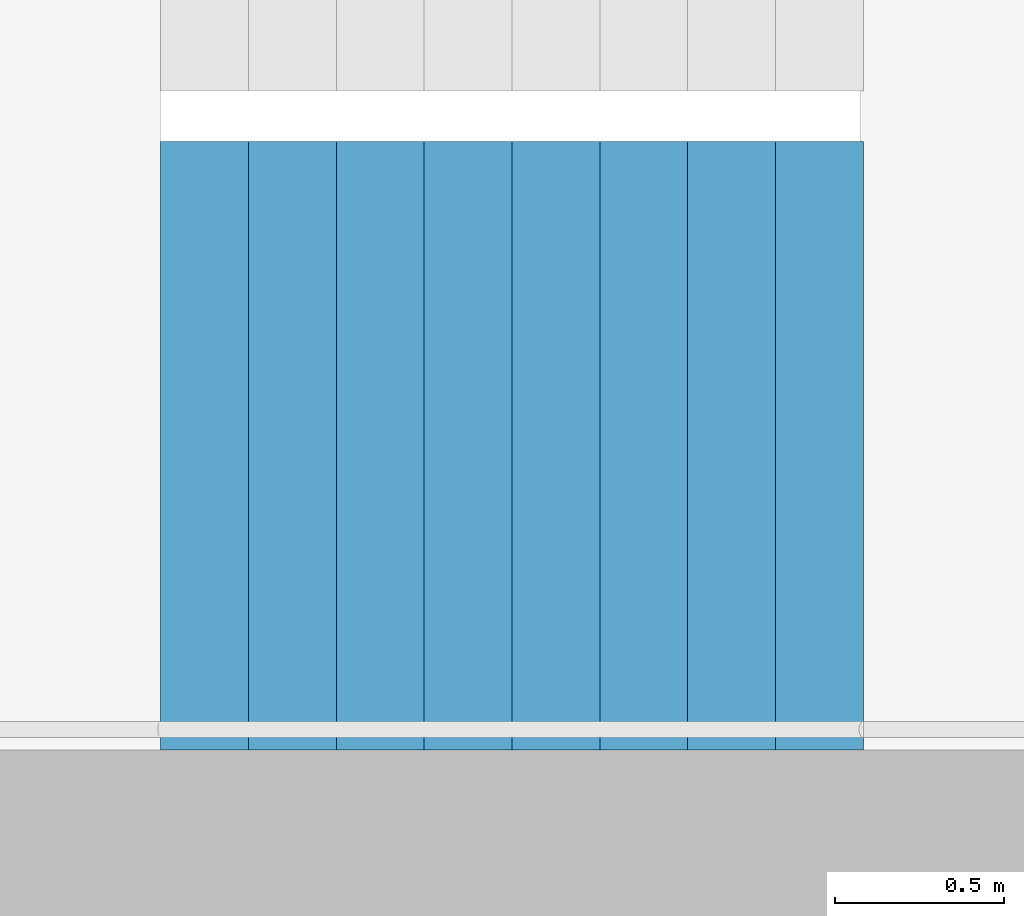
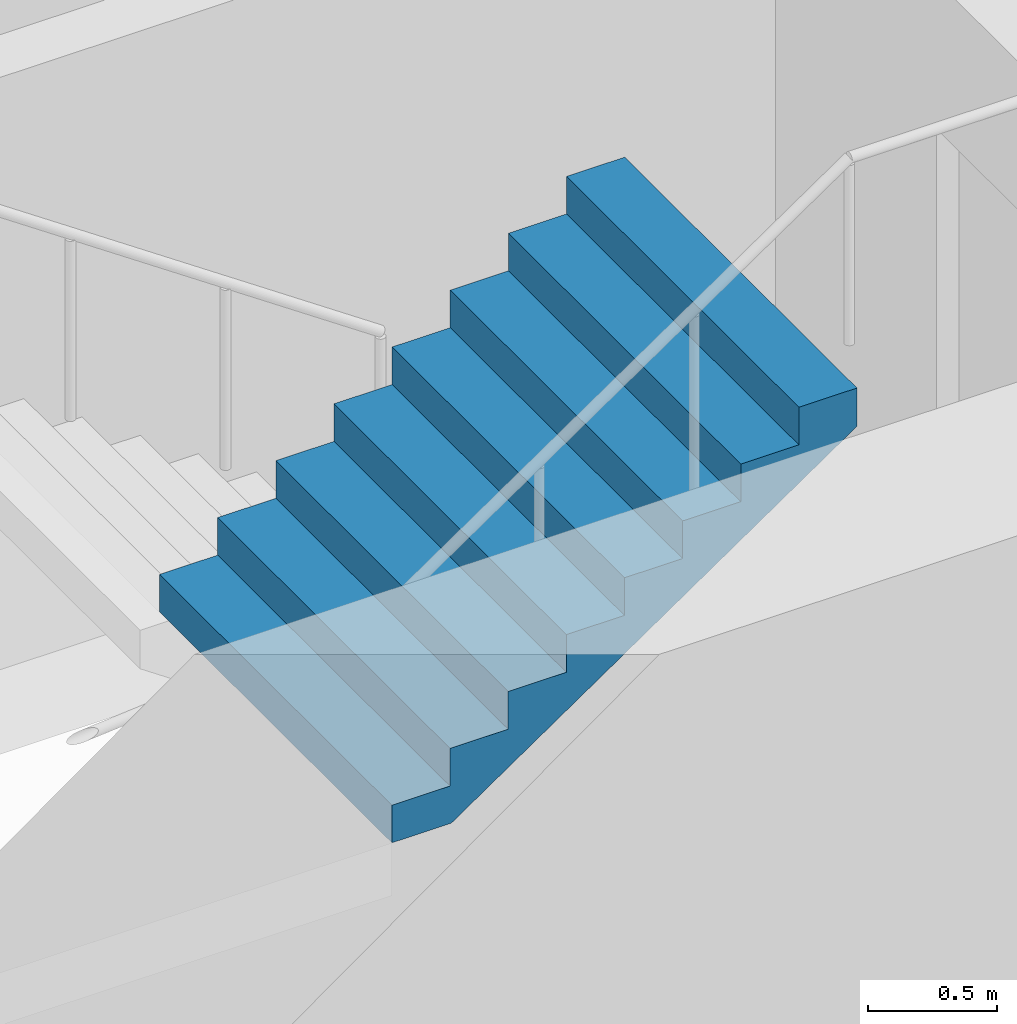
# One storey, part 21 of 29: 1 stair flight, 1 element without a shape of its own.
"""IFC4 building model written with IfcOpenShell, lengths in metres."""

from ifc_helpers import new_model, si_unit, direction, frame, origin, place, context, subcontext, project, spatial, triangles, material, type_object, element, aggregate, save


model = new_model("IFC4")

# Units and contexts
model_context = context("Model", 3, precision=1e-05, world=origin(), true_north=direction((0.0, 1.0)))
body_context = subcontext(model_context, "Body", "Model", "MODEL_VIEW")
ifc_project = project(units=[si_unit("LENGTHUNIT", "METRE"), si_unit("AREAUNIT", "SQUARE_METRE"), si_unit("VOLUMEUNIT", "CUBIC_METRE"), si_unit("PLANEANGLEUNIT", "RADIAN"), si_unit("MASSUNIT", "GRAM", prefix="KILO")], contexts=[model_context])

# Site, building, storey
site_placement = place(None, origin())
site = spatial("IfcSite", under=ifc_project, at=site_placement, CompositionType="ELEMENT")
building_placement = place(site_placement, origin())
building = spatial("IfcBuilding", under=site, at=building_placement, Name="Hakoniwa Tower and Hamabe Station Hall", CompositionType="ELEMENT")
storey_placement = place(building_placement, frame((0.0, 0.0, 104.199951171875)))
storey = spatial("IfcBuildingStorey", under=building, at=storey_placement, Name="L29", CompositionType="ELEMENT", Elevation=104.199951171875)

# Stair, stair flight
ifc_material_1 = material(Name="Concrete C40", Category="concrete")
stair_type = type_object("IfcStairType", Name="ESCAPE STAIR 1800", PredefinedType="HALF_TURN_STAIR", material=ifc_material_1)
stair_placement = place(storey_placement, origin())
stair = element("IfcStair", 1, at=stair_placement, inside=storey, type_object=stair_type, Name="Escape stair ST-2 L29", PredefinedType="HALF_TURN_STAIR")
ifc_material_2 = material(Name="Concrete C40", Category="concrete")
stair_flight_type = type_object("IfcStairFlightType", Name="STAIR FLIGHT 1800", PredefinedType="STRAIGHT", material=ifc_material_2)
stair_flight_placement = place(storey_placement, frame((-25.47998046875, -6.60009765625, 1.60009765625), z_axis=(0.0, 0.0, 1.0), x_axis=(1.0, 0.0, 0.0)))
stair_flight = element("IfcStairFlight", 2, at=stair_flight_placement, type_object=stair_flight_type, Name="ST-2 flight 2", NumberOfRisers=9, NumberOfTreads=8, PredefinedType="STRAIGHT", RiserHeight=0.177777778, TreadLength=0.26, context=body_context, shape_type="Tessellation", body=[
    triangles([(0.0, 0.89990234375, 0.0), (0.260009765625, 0.89990234375, 0.0), (0.265625, 0.89990234375, 0.0), (0.52001953125, 0.89990234375, 0.174072265625), (0.780029296875, 0.89990234375, 0.351806640625), (1.0400390625, 0.89990234375, 0.529541015625), (1.300048828125, 0.89990234375, 0.707275390625), (1.56005859375, 0.89990234375, 0.885009765625), (1.820068359375, 0.89990234375, 1.062744140625), (2.080078125, 0.89990234375, 1.24072265625), (2.080078125, 0.89990234375, 1.422119140625), (1.820068359375, 0.89990234375, 1.422119140625), (1.820068359375, 0.89990234375, 1.244384765625), (1.56005859375, 0.89990234375, 1.244384765625), (1.56005859375, 0.89990234375, 1.066650390625), (1.300048828125, 0.89990234375, 1.066650390625), (1.300048828125, 0.89990234375, 0.888916015625), (1.0400390625, 0.89990234375, 0.888916015625), (1.0400390625, 0.89990234375, 0.711181640625), (0.780029296875, 0.89990234375, 0.711181640625), (0.780029296875, 0.89990234375, 0.533447265625), (0.52001953125, 0.89990234375, 0.533447265625), (0.52001953125, 0.89990234375, 0.35546875), (0.265625, 0.89990234375, 0.35546875), (0.260009765625, 0.89990234375, 0.35546875), (0.260009765625, 0.89990234375, 0.177734375), (0.0, 0.89990234375, 0.177734375), (0.0, 0.06005859375, 0.0), (0.260009765625, 0.06005859375, 0.0), (0.265625, 0.06005859375, 0.0), (0.52001953125, 0.06005859375, 0.174072265625), (0.780029296875, 0.06005859375, 0.351806640625), (1.0400390625, 0.06005859375, 0.529541015625), (1.300048828125, 0.06005859375, 0.707275390625), (1.56005859375, 0.06005859375, 0.885009765625), (1.820068359375, 0.06005859375, 1.062744140625), (2.080078125, 0.06005859375, 1.24072265625), (2.080078125, 0.06005859375, 1.422119140625), (1.820068359375, 0.06005859375, 1.422119140625), (1.820068359375, 0.06005859375, 1.244384765625), (1.56005859375, 0.06005859375, 1.244384765625), (1.56005859375, 0.06005859375, 1.066650390625), (1.300048828125, 0.06005859375, 1.066650390625), (1.300048828125, 0.06005859375, 0.888916015625), (1.0400390625, 0.06005859375, 0.888916015625), (1.0400390625, 0.06005859375, 0.711181640625), (0.780029296875, 0.06005859375, 0.711181640625), (0.780029296875, 0.06005859375, 0.533447265625), (0.52001953125, 0.06005859375, 0.533447265625), (0.52001953125, 0.06005859375, 0.35546875), (0.265625, 0.06005859375, 0.35546875), (0.260009765625, 0.06005859375, 0.35546875), (0.260009765625, 0.06005859375, 0.177734375), (0.0, 0.06005859375, 0.177734375), (0.0, 0.04296875, 0.0), (0.260009765625, 0.04296875, 0.0), (0.265625, 0.04296875, 0.0), (0.52001953125, 0.04296875, 0.174072265625), (0.780029296875, 0.04296875, 0.351806640625), (1.0400390625, 0.04296875, 0.529541015625), (1.300048828125, 0.04296875, 0.707275390625), (1.56005859375, 0.04296875, 0.885009765625), (1.820068359375, 0.04296875, 1.062744140625), (2.080078125, 0.04296875, 1.24072265625), (2.080078125, 0.04296875, 1.422119140625), (1.820068359375, 0.04296875, 1.422119140625), (1.820068359375, 0.04296875, 1.244384765625), (1.56005859375, 0.04296875, 1.244384765625), (1.56005859375, 0.04296875, 1.066650390625), (1.300048828125, 0.04296875, 1.066650390625), (1.300048828125, 0.04296875, 0.888916015625), (1.0400390625, 0.04296875, 0.888916015625), (1.0400390625, 0.04296875, 0.711181640625), (0.780029296875, 0.04296875, 0.711181640625), (0.780029296875, 0.04296875, 0.533447265625), (0.52001953125, 0.04296875, 0.533447265625), (0.52001953125, 0.04296875, 0.35546875), (0.265625, 0.04296875, 0.35546875), (0.260009765625, 0.04296875, 0.35546875), (0.260009765625, 0.04296875, 0.177734375), (0.0, 0.04296875, 0.177734375), (0.0, 0.025634765625, 0.0), (0.260009765625, 0.025634765625, 0.0), (0.265625, 0.025634765625, 0.0), (0.52001953125, 0.025634765625, 0.174072265625), (0.780029296875, 0.025634765625, 0.351806640625), (1.0400390625, 0.025634765625, 0.529541015625), (1.300048828125, 0.025634765625, 0.707275390625), (1.56005859375, 0.025634765625, 0.885009765625), (1.820068359375, 0.025634765625, 1.062744140625), (2.080078125, 0.025634765625, 1.24072265625), (2.080078125, 0.025634765625, 1.422119140625), (1.820068359375, 0.025634765625, 1.422119140625), (1.820068359375, 0.025634765625, 1.244384765625), (1.56005859375, 0.025634765625, 1.244384765625), (1.56005859375, 0.025634765625, 1.066650390625), (1.300048828125, 0.025634765625, 1.066650390625), (1.300048828125, 0.025634765625, 0.888916015625), (1.0400390625, 0.025634765625, 0.888916015625), (1.0400390625, 0.025634765625, 0.711181640625), (0.780029296875, 0.025634765625, 0.711181640625), (0.780029296875, 0.025634765625, 0.533447265625), (0.52001953125, 0.025634765625, 0.533447265625), (0.52001953125, 0.025634765625, 0.35546875), (0.265625, 0.025634765625, 0.35546875), (0.260009765625, 0.025634765625, 0.35546875), (0.260009765625, 0.025634765625, 0.177734375), (0.0, 0.025634765625, 0.177734375), (0.0, 0.008544921875, 0.0), (0.260009765625, 0.008544921875, 0.0), (0.265625, 0.008544921875, 0.0), (0.52001953125, 0.008544921875, 0.174072265625), (0.780029296875, 0.008544921875, 0.351806640625), (1.0400390625, 0.008544921875, 0.529541015625), (1.300048828125, 0.008544921875, 0.707275390625), (1.56005859375, 0.008544921875, 0.885009765625), (1.820068359375, 0.008544921875, 1.062744140625), (2.080078125, 0.008544921875, 1.24072265625), (2.080078125, 0.008544921875, 1.422119140625), (1.820068359375, 0.008544921875, 1.422119140625), (1.820068359375, 0.008544921875, 1.244384765625), (1.56005859375, 0.008544921875, 1.244384765625), (1.56005859375, 0.008544921875, 1.066650390625), (1.300048828125, 0.008544921875, 1.066650390625), (1.300048828125, 0.008544921875, 0.888916015625), (1.0400390625, 0.008544921875, 0.888916015625), (1.0400390625, 0.008544921875, 0.711181640625), (0.780029296875, 0.008544921875, 0.711181640625), (0.780029296875, 0.008544921875, 0.533447265625), (0.52001953125, 0.008544921875, 0.533447265625), (0.52001953125, 0.008544921875, 0.35546875), (0.265625, 0.008544921875, 0.35546875), (0.260009765625, 0.008544921875, 0.35546875), (0.260009765625, 0.008544921875, 0.177734375), (0.0, 0.008544921875, 0.177734375), (0.0, -0.008544921875, 0.0), (0.260009765625, -0.008544921875, 0.0), (0.265625, -0.008544921875, 0.0), (0.52001953125, -0.008544921875, 0.174072265625), (0.780029296875, -0.008544921875, 0.351806640625), (1.0400390625, -0.008544921875, 0.529541015625), (1.300048828125, -0.008544921875, 0.707275390625), (1.56005859375, -0.008544921875, 0.885009765625), (1.820068359375, -0.008544921875, 1.062744140625), (2.080078125, -0.008544921875, 1.24072265625), (2.080078125, -0.008544921875, 1.422119140625), (1.820068359375, -0.008544921875, 1.422119140625), (1.820068359375, -0.008544921875, 1.244384765625), (1.56005859375, -0.008544921875, 1.244384765625), (1.56005859375, -0.008544921875, 1.066650390625), (1.300048828125, -0.008544921875, 1.066650390625), (1.300048828125, -0.008544921875, 0.888916015625), (1.0400390625, -0.008544921875, 0.888916015625), (1.0400390625, -0.008544921875, 0.711181640625), (0.780029296875, -0.008544921875, 0.711181640625), (0.780029296875, -0.008544921875, 0.533447265625), (0.52001953125, -0.008544921875, 0.533447265625), (0.52001953125, -0.008544921875, 0.35546875), (0.265625, -0.008544921875, 0.35546875), (0.260009765625, -0.008544921875, 0.35546875), (0.260009765625, -0.008544921875, 0.177734375), (0.0, -0.008544921875, 0.177734375), (0.0, -0.025634765625, 0.0), (0.260009765625, -0.025634765625, 0.0), (0.265625, -0.025634765625, 0.0), (0.52001953125, -0.025634765625, 0.174072265625), (0.780029296875, -0.025634765625, 0.351806640625), (1.0400390625, -0.025634765625, 0.529541015625), (1.300048828125, -0.025634765625, 0.707275390625), (1.56005859375, -0.025634765625, 0.885009765625), (1.820068359375, -0.025634765625, 1.062744140625), (2.080078125, -0.025634765625, 1.24072265625), (2.080078125, -0.025634765625, 1.422119140625), (1.820068359375, -0.025634765625, 1.422119140625), (1.820068359375, -0.025634765625, 1.244384765625), (1.56005859375, -0.025634765625, 1.244384765625), (1.56005859375, -0.025634765625, 1.066650390625), (1.300048828125, -0.025634765625, 1.066650390625), (1.300048828125, -0.025634765625, 0.888916015625), (1.0400390625, -0.025634765625, 0.888916015625), (1.0400390625, -0.025634765625, 0.711181640625), (0.780029296875, -0.025634765625, 0.711181640625), (0.780029296875, -0.025634765625, 0.533447265625), (0.52001953125, -0.025634765625, 0.533447265625), (0.52001953125, -0.025634765625, 0.35546875), (0.265625, -0.025634765625, 0.35546875), (0.260009765625, -0.025634765625, 0.35546875), (0.260009765625, -0.025634765625, 0.177734375), (0.0, -0.025634765625, 0.177734375), (0.0, -0.04296875, 0.0), (0.260009765625, -0.04296875, 0.0), (0.265625, -0.04296875, 0.0), (0.52001953125, -0.04296875, 0.174072265625), (0.780029296875, -0.04296875, 0.351806640625), (1.0400390625, -0.04296875, 0.529541015625), (1.300048828125, -0.04296875, 0.707275390625), (1.56005859375, -0.04296875, 0.885009765625), (1.820068359375, -0.04296875, 1.062744140625), (2.080078125, -0.04296875, 1.24072265625), (2.080078125, -0.04296875, 1.422119140625), (1.820068359375, -0.04296875, 1.422119140625), (1.820068359375, -0.04296875, 1.244384765625), (1.56005859375, -0.04296875, 1.244384765625), (1.56005859375, -0.04296875, 1.066650390625), (1.300048828125, -0.04296875, 1.066650390625), (1.300048828125, -0.04296875, 0.888916015625), (1.0400390625, -0.04296875, 0.888916015625), (1.0400390625, -0.04296875, 0.711181640625), (0.780029296875, -0.04296875, 0.711181640625), (0.780029296875, -0.04296875, 0.533447265625), (0.52001953125, -0.04296875, 0.533447265625), (0.52001953125, -0.04296875, 0.35546875), (0.265625, -0.04296875, 0.35546875), (0.260009765625, -0.04296875, 0.35546875), (0.260009765625, -0.04296875, 0.177734375), (0.0, -0.04296875, 0.177734375), (0.0, -0.06005859375, 0.0), (0.260009765625, -0.06005859375, 0.0), (0.265625, -0.06005859375, 0.0), (0.52001953125, -0.06005859375, 0.174072265625), (0.780029296875, -0.06005859375, 0.351806640625), (1.0400390625, -0.06005859375, 0.529541015625), (1.300048828125, -0.06005859375, 0.707275390625), (1.56005859375, -0.06005859375, 0.885009765625), (1.820068359375, -0.06005859375, 1.062744140625), (2.080078125, -0.06005859375, 1.24072265625), (2.080078125, -0.06005859375, 1.422119140625), (1.820068359375, -0.06005859375, 1.422119140625), (1.820068359375, -0.06005859375, 1.244384765625), (1.56005859375, -0.06005859375, 1.244384765625), (1.56005859375, -0.06005859375, 1.066650390625), (1.300048828125, -0.06005859375, 1.066650390625), (1.300048828125, -0.06005859375, 0.888916015625), (1.0400390625, -0.06005859375, 0.888916015625), (1.0400390625, -0.06005859375, 0.711181640625), (0.780029296875, -0.06005859375, 0.711181640625), (0.780029296875, -0.06005859375, 0.533447265625), (0.52001953125, -0.06005859375, 0.533447265625), (0.52001953125, -0.06005859375, 0.35546875), (0.265625, -0.06005859375, 0.35546875), (0.260009765625, -0.06005859375, 0.35546875), (0.260009765625, -0.06005859375, 0.177734375), (0.0, -0.06005859375, 0.177734375), (0.0, -0.89990234375, 0.0), (0.260009765625, -0.89990234375, 0.0), (0.265625, -0.89990234375, 0.0), (0.52001953125, -0.89990234375, 0.174072265625), (0.780029296875, -0.89990234375, 0.351806640625), (1.0400390625, -0.89990234375, 0.529541015625), (1.300048828125, -0.89990234375, 0.707275390625), (1.56005859375, -0.89990234375, 0.885009765625), (1.820068359375, -0.89990234375, 1.062744140625), (2.080078125, -0.89990234375, 1.24072265625), (2.080078125, -0.89990234375, 1.422119140625), (1.820068359375, -0.89990234375, 1.422119140625), (1.820068359375, -0.89990234375, 1.244384765625), (1.56005859375, -0.89990234375, 1.244384765625), (1.56005859375, -0.89990234375, 1.066650390625), (1.300048828125, -0.89990234375, 1.066650390625), (1.300048828125, -0.89990234375, 0.888916015625), (1.0400390625, -0.89990234375, 0.888916015625), (1.0400390625, -0.89990234375, 0.711181640625), (0.780029296875, -0.89990234375, 0.711181640625), (0.780029296875, -0.89990234375, 0.533447265625), (0.52001953125, -0.89990234375, 0.533447265625), (0.52001953125, -0.89990234375, 0.35546875), (0.265625, -0.89990234375, 0.35546875), (0.260009765625, -0.89990234375, 0.35546875), (0.260009765625, -0.89990234375, 0.177734375), (0.0, -0.89990234375, 0.177734375)], [[2, 27, 26], [245, 269, 270], [2, 1, 27], [245, 270, 244], [3, 25, 24], [246, 267, 268], [3, 26, 25], [246, 268, 269], [3, 2, 26], [246, 269, 245], [4, 24, 23], [247, 266, 267], [4, 3, 24], [247, 267, 246], [5, 22, 21], [248, 264, 265], [5, 23, 22], [248, 265, 266], [5, 4, 23], [248, 266, 247], [6, 20, 19], [249, 262, 263], [6, 21, 20], [249, 263, 264], [6, 5, 21], [249, 264, 248], [7, 18, 17], [250, 260, 261], [7, 19, 18], [250, 261, 262], [7, 6, 19], [250, 262, 249], [8, 16, 15], [251, 258, 259], [8, 17, 16], [251, 259, 260], [8, 7, 17], [251, 260, 250], [9, 14, 13], [252, 256, 257], [9, 15, 14], [252, 257, 258], [9, 8, 15], [252, 258, 251], [10, 12, 11], [253, 254, 255], [10, 13, 12], [253, 255, 256], [10, 9, 13], [253, 256, 252], [1, 2, 29], [1, 29, 28], [28, 29, 56], [28, 56, 55], [55, 56, 83], [55, 83, 82], [82, 83, 110], [82, 110, 109], [109, 110, 137], [109, 137, 136], [136, 137, 164], [136, 164, 163], [163, 164, 191], [163, 191, 190], [190, 191, 218], [190, 218, 217], [217, 218, 245], [217, 245, 244], [2, 3, 30], [2, 30, 29], [29, 30, 57], [29, 57, 56], [56, 57, 84], [56, 84, 83], [83, 84, 111], [83, 111, 110], [110, 111, 138], [110, 138, 137], [137, 138, 165], [137, 165, 164], [164, 165, 192], [164, 192, 191], [191, 192, 219], [191, 219, 218], [218, 219, 246], [218, 246, 245], [3, 4, 31], [3, 31, 30], [30, 31, 58], [30, 58, 57], [57, 58, 85], [57, 85, 84], [84, 85, 112], [84, 112, 111], [111, 112, 139], [111, 139, 138], [138, 139, 166], [138, 166, 165], [165, 166, 193], [165, 193, 192], [192, 193, 220], [192, 220, 219], [219, 220, 247], [219, 247, 246], [4, 5, 32], [4, 32, 31], [31, 32, 59], [31, 59, 58], [58, 59, 86], [58, 86, 85], [85, 86, 113], [85, 113, 112], [112, 113, 140], [112, 140, 139], [139, 140, 167], [139, 167, 166], [166, 167, 194], [166, 194, 193], [193, 194, 221], [193, 221, 220], [220, 221, 248], [220, 248, 247], [5, 6, 33], [5, 33, 32], [32, 33, 60], [32, 60, 59], [59, 60, 87], [59, 87, 86], [86, 87, 114], [86, 114, 113], [113, 114, 141], [113, 141, 140], [140, 141, 168], [140, 168, 167], [167, 168, 195], [167, 195, 194], [194, 195, 222], [194, 222, 221], [221, 222, 249], [221, 249, 248], [6, 7, 34], [6, 34, 33], [33, 34, 61], [33, 61, 60], [60, 61, 88], [60, 88, 87], [87, 88, 115], [87, 115, 114], [114, 115, 142], [114, 142, 141], [141, 142, 169], [141, 169, 168], [168, 169, 196], [168, 196, 195], [195, 196, 223], [195, 223, 222], [222, 223, 250], [222, 250, 249], [7, 8, 35], [7, 35, 34], [34, 35, 62], [34, 62, 61], [61, 62, 89], [61, 89, 88], [88, 89, 116], [88, 116, 115], [115, 116, 143], [115, 143, 142], [142, 143, 170], [142, 170, 169], [169, 170, 197], [169, 197, 196], [196, 197, 224], [196, 224, 223], [223, 224, 251], [223, 251, 250], [8, 9, 36], [8, 36, 35], [35, 36, 63], [35, 63, 62], [62, 63, 90], [62, 90, 89], [89, 90, 117], [89, 117, 116], [116, 117, 144], [116, 144, 143], [143, 144, 171], [143, 171, 170], [170, 171, 198], [170, 198, 197], [197, 198, 225], [197, 225, 224], [224, 225, 252], [224, 252, 251], [9, 10, 37], [9, 37, 36], [36, 37, 64], [36, 64, 63], [63, 64, 91], [63, 91, 90], [90, 91, 118], [90, 118, 117], [117, 118, 145], [117, 145, 144], [144, 145, 172], [144, 172, 171], [171, 172, 199], [171, 199, 198], [198, 199, 226], [198, 226, 225], [225, 226, 253], [225, 253, 252], [10, 11, 38], [10, 38, 37], [37, 38, 65], [37, 65, 64], [64, 65, 92], [64, 92, 91], [91, 92, 119], [91, 119, 118], [118, 119, 146], [118, 146, 145], [145, 146, 173], [145, 173, 172], [172, 173, 200], [172, 200, 199], [199, 200, 227], [199, 227, 226], [226, 227, 254], [226, 254, 253], [11, 12, 39], [11, 39, 38], [38, 39, 66], [38, 66, 65], [65, 66, 93], [65, 93, 92], [92, 93, 120], [92, 120, 119], [119, 120, 147], [119, 147, 146], [146, 147, 174], [146, 174, 173], [173, 174, 201], [173, 201, 200], [200, 201, 228], [200, 228, 227], [227, 228, 255], [227, 255, 254], [12, 13, 40], [12, 40, 39], [39, 40, 67], [39, 67, 66], [66, 67, 94], [66, 94, 93], [93, 94, 121], [93, 121, 120], [120, 121, 148], [120, 148, 147], [147, 148, 175], [147, 175, 174], [174, 175, 202], [174, 202, 201], [201, 202, 229], [201, 229, 228], [228, 229, 256], [228, 256, 255], [13, 14, 41], [13, 41, 40], [40, 41, 68], [40, 68, 67], [67, 68, 95], [67, 95, 94], [94, 95, 122], [94, 122, 121], [121, 122, 149], [121, 149, 148], [148, 149, 176], [148, 176, 175], [175, 176, 203], [175, 203, 202], [202, 203, 230], [202, 230, 229], [229, 230, 257], [229, 257, 256], [14, 15, 42], [14, 42, 41], [41, 42, 69], [41, 69, 68], [68, 69, 96], [68, 96, 95], [95, 96, 123], [95, 123, 122], [122, 123, 150], [122, 150, 149], [149, 150, 177], [149, 177, 176], [176, 177, 204], [176, 204, 203], [203, 204, 231], [203, 231, 230], [230, 231, 258], [230, 258, 257], [15, 16, 43], [15, 43, 42], [42, 43, 70], [42, 70, 69], [69, 70, 97], [69, 97, 96], [96, 97, 124], [96, 124, 123], [123, 124, 151], [123, 151, 150], [150, 151, 178], [150, 178, 177], [177, 178, 205], [177, 205, 204], [204, 205, 232], [204, 232, 231], [231, 232, 259], [231, 259, 258], [16, 17, 44], [16, 44, 43], [43, 44, 71], [43, 71, 70], [70, 71, 98], [70, 98, 97], [97, 98, 125], [97, 125, 124], [124, 125, 152], [124, 152, 151], [151, 152, 179], [151, 179, 178], [178, 179, 206], [178, 206, 205], [205, 206, 233], [205, 233, 232], [232, 233, 260], [232, 260, 259], [17, 18, 45], [17, 45, 44], [44, 45, 72], [44, 72, 71], [71, 72, 99], [71, 99, 98], [98, 99, 126], [98, 126, 125], [125, 126, 153], [125, 153, 152], [152, 153, 180], [152, 180, 179], [179, 180, 207], [179, 207, 206], [206, 207, 234], [206, 234, 233], [233, 234, 261], [233, 261, 260], [18, 19, 46], [18, 46, 45], [45, 46, 73], [45, 73, 72], [72, 73, 100], [72, 100, 99], [99, 100, 127], [99, 127, 126], [126, 127, 154], [126, 154, 153], [153, 154, 181], [153, 181, 180], [180, 181, 208], [180, 208, 207], [207, 208, 235], [207, 235, 234], [234, 235, 262], [234, 262, 261], [19, 20, 47], [19, 47, 46], [46, 47, 74], [46, 74, 73], [73, 74, 101], [73, 101, 100], [100, 101, 128], [100, 128, 127], [127, 128, 155], [127, 155, 154], [154, 155, 182], [154, 182, 181], [181, 182, 209], [181, 209, 208], [208, 209, 236], [208, 236, 235], [235, 236, 263], [235, 263, 262], [20, 21, 48], [20, 48, 47], [47, 48, 75], [47, 75, 74], [74, 75, 102], [74, 102, 101], [101, 102, 129], [101, 129, 128], [128, 129, 156], [128, 156, 155], [155, 156, 183], [155, 183, 182], [182, 183, 210], [182, 210, 209], [209, 210, 237], [209, 237, 236], [236, 237, 264], [236, 264, 263], [21, 22, 49], [21, 49, 48], [48, 49, 76], [48, 76, 75], [75, 76, 103], [75, 103, 102], [102, 103, 130], [102, 130, 129], [129, 130, 157], [129, 157, 156], [156, 157, 184], [156, 184, 183], [183, 184, 211], [183, 211, 210], [210, 211, 238], [210, 238, 237], [237, 238, 265], [237, 265, 264], [22, 23, 50], [22, 50, 49], [49, 50, 77], [49, 77, 76], [76, 77, 104], [76, 104, 103], [103, 104, 131], [103, 131, 130], [130, 131, 158], [130, 158, 157], [157, 158, 185], [157, 185, 184], [184, 185, 212], [184, 212, 211], [211, 212, 239], [211, 239, 238], [238, 239, 266], [238, 266, 265], [23, 24, 51], [23, 51, 50], [50, 51, 78], [50, 78, 77], [77, 78, 105], [77, 105, 104], [104, 105, 132], [104, 132, 131], [131, 132, 159], [131, 159, 158], [158, 159, 186], [158, 186, 185], [185, 186, 213], [185, 213, 212], [212, 213, 240], [212, 240, 239], [239, 240, 267], [239, 267, 266], [24, 25, 52], [24, 52, 51], [51, 52, 79], [51, 79, 78], [78, 79, 106], [78, 106, 105], [105, 106, 133], [105, 133, 132], [132, 133, 160], [132, 160, 159], [159, 160, 187], [159, 187, 186], [186, 187, 214], [186, 214, 213], [213, 214, 241], [213, 241, 240], [240, 241, 268], [240, 268, 267], [25, 26, 53], [25, 53, 52], [52, 53, 80], [52, 80, 79], [79, 80, 107], [79, 107, 106], [106, 107, 134], [106, 134, 133], [133, 134, 161], [133, 161, 160], [160, 161, 188], [160, 188, 187], [187, 188, 215], [187, 215, 214], [214, 215, 242], [214, 242, 241], [241, 242, 269], [241, 269, 268], [26, 27, 54], [26, 54, 53], [53, 54, 81], [53, 81, 80], [80, 81, 108], [80, 108, 107], [107, 108, 135], [107, 135, 134], [134, 135, 162], [134, 162, 161], [161, 162, 189], [161, 189, 188], [188, 189, 216], [188, 216, 215], [215, 216, 243], [215, 243, 242], [242, 243, 270], [242, 270, 269], [27, 1, 28], [27, 28, 54], [54, 28, 55], [54, 55, 81], [81, 55, 82], [81, 82, 108], [108, 82, 109], [108, 109, 135], [135, 109, 136], [135, 136, 162], [162, 136, 163], [162, 163, 189], [189, 163, 190], [189, 190, 216], [216, 190, 217], [216, 217, 243], [243, 217, 244], [243, 244, 270]], closed=True),
])
aggregate(stair, [stair_flight])

save(model, "model.ifc")
